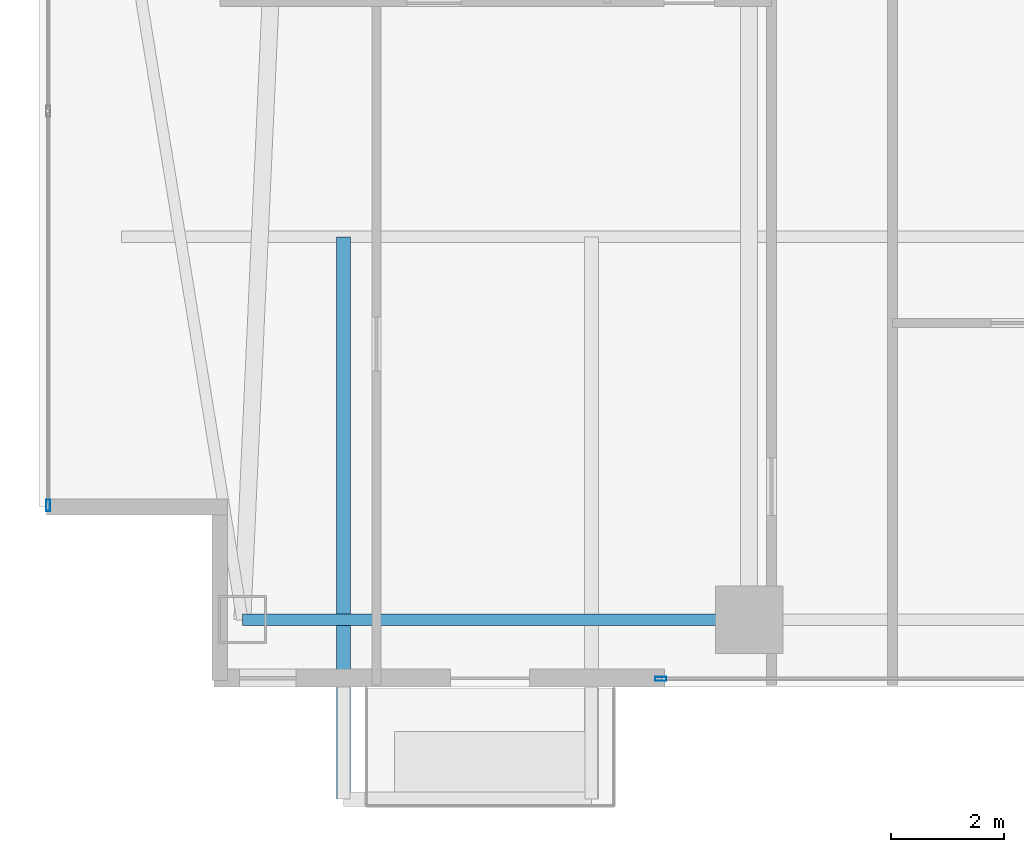
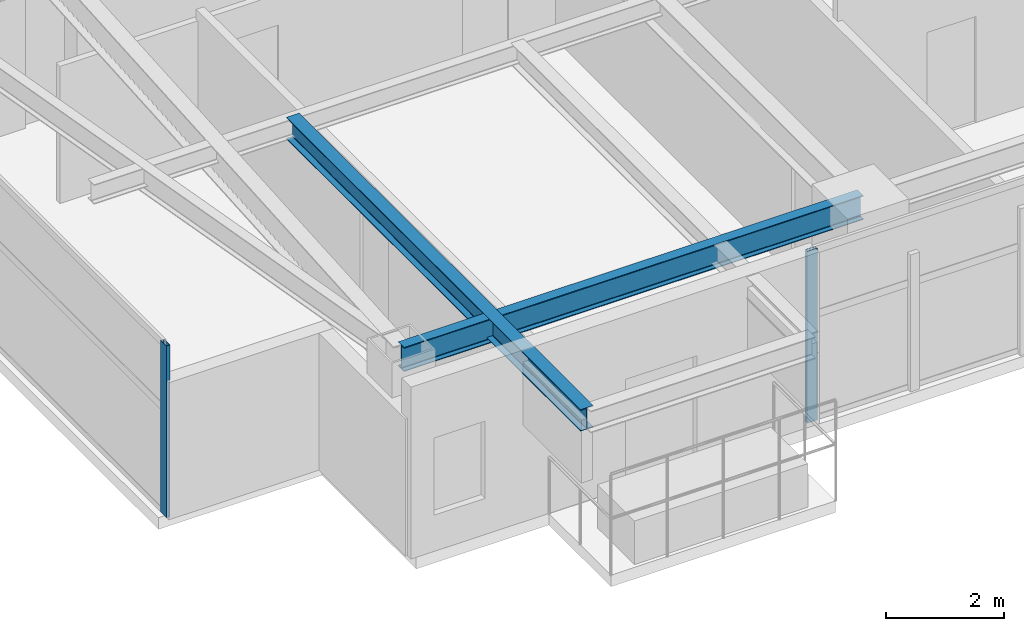
# One storey, part 2 of 28: 2 beams, 2 members, 2 elements without a shape of their own.
"""IFC4 building model written with IfcOpenShell, lengths in metres."""

from ifc_helpers import new_model, si_unit, direction, frame, origin, origin_2d, place, context, subcontext, project, spatial, hollow_rectangle, i_section, extrude, material, layer, layer_set, material_profile, profile_set, type_object, element, aggregate, save


model = new_model("IFC4")

# Units and contexts
model_context = context("Model", 3, precision=1e-05, world=origin(), true_north=direction((0.0, 1.0)))
body_context = subcontext(model_context, "Body", "Model", "MODEL_VIEW")
ifc_project = project(units=[si_unit("LENGTHUNIT", "METRE"), si_unit("AREAUNIT", "SQUARE_METRE"), si_unit("VOLUMEUNIT", "CUBIC_METRE"), si_unit("PLANEANGLEUNIT", "RADIAN"), si_unit("MASSUNIT", "GRAM", prefix="KILO")], contexts=[model_context])

# Site, building, storey
site_placement = place(None, origin())
site = spatial("IfcSite", under=ifc_project, at=site_placement, CompositionType="ELEMENT")
building_placement = place(site_placement, origin())
building = spatial("IfcBuilding", under=site, at=building_placement, Name="Calvorn Quay Hotel", CompositionType="ELEMENT")
storey_placement = place(building_placement, frame((0.0, 0.0, 131.60009765625)))
storey = spatial("IfcBuildingStorey", under=building, at=storey_placement, Name="L32", CompositionType="ELEMENT", Elevation=131.60009765625)

# Beams
ifc_material_1 = material(Name="Steel Q355B", Category="steel")
ifc_material_profile_1 = material_profile(ifc_material_1, i_section(OverallWidth=0.25, OverallDepth=0.449951171875, WebThickness=0.011962890625, FlangeThickness=0.01611328125, FilletRadius=0.01611328125, at=origin_2d()), Name="HN450x250x12x16")
ifc_profile_set_1 = profile_set([ifc_material_profile_1], Name="Steel Q355B")
beam_type_1 = type_object("IfcBeamType", Name="BM-CANT-BALC", PredefinedType="BEAM", material=ifc_profile_set_1)
beam_1_placement = place(storey_placement, frame((5.39990234375, 10.39990234375, 3.31494140625), z_axis=(0.0, -1.0, 0.0), x_axis=(1.0, 0.0, 0.0)))
element("IfcBeam", 1, at=beam_1_placement, inside=storey, type_object=beam_type_1, Name="Cantilever Balcony Beam BCB-L33-2A", PredefinedType="BEAM", context=body_context, shape_type="SweptSolid", body=[
    extrude(i_section(OverallWidth=0.25, OverallDepth=0.449951171875, WebThickness=0.011962890625, FlangeThickness=0.01611328125, FilletRadius=0.01611328125, at=origin_2d()), origin(), (0.0, 0.0, 1.0), 9.989990234375),
])
ifc_material_2 = material(Name="Steel Q355B", Category="steel")
ifc_material_profile_2 = material_profile(ifc_material_2, i_section(OverallWidth=0.199951171875, OverallDepth=0.5, WebThickness=0.010009765625, FlangeThickness=0.01611328125, FilletRadius=0.01611328125, at=origin_2d()), Name="HN500x200x10x16")
ifc_profile_set_2 = profile_set([ifc_material_profile_2], Name="Steel Q355B")
beam_type_2 = type_object("IfcBeamType", Name="BM-SPANDREL-Z1", PredefinedType="SPANDREL", material=ifc_profile_set_2)
beam_2_placement = place(storey_placement, frame((3.60009765625, 3.60009765625, 3.289794921875), z_axis=(1.0, 0.0, 0.0), x_axis=(0.0, 1.0, 0.0)))
element("IfcBeam", 2, at=beam_2_placement, inside=storey, type_object=beam_type_2, Name="Beam BSP-L32-S1", PredefinedType="SPANDREL", context=body_context, shape_type="SweptSolid", body=[
    extrude(i_section(OverallWidth=0.199951171875, OverallDepth=0.5, WebThickness=0.010009765625, FlangeThickness=0.01611328125, FilletRadius=0.01611328125, at=origin_2d()), origin(), (0.0, 0.0, 1.0), 9.0),
])

# Curtain wall, member
ifc_material_3 = material(Name="Pale Anodised Aluminium and Low-E Glass", Category="aluminium")
ifc_layer = layer(ifc_material_3, 0.219970703125)
ifc_layer_set = layer_set([ifc_layer], Name="CW-SYS-Z2")
curtain_wall_type = type_object("IfcCurtainWallType", Name="CW-SYS-Z2", PredefinedType="NOTDEFINED", material=ifc_layer_set)
curtain_wall_1_placement = place(storey_placement, origin())
curtain_wall_1 = element("IfcCurtainWall", 3, at=curtain_wall_1_placement, inside=storey, type_object=curtain_wall_type, Name="Tower West Curtain Wall (L32)", PredefinedType="NOTDEFINED")
ifc_material_4 = material(Name="Pale Anodised Aluminium 6063-T6", Category="aluminium")
ifc_material_profile_3 = material_profile(ifc_material_4, hollow_rectangle(XDim=0.070068359375, YDim=0.199951171875, WallThickness=0.00390625, at=origin_2d()), Name="ALU-M200x70x4")
ifc_profile_set_3 = profile_set([ifc_material_profile_3], Name="Pale Anodised Aluminium 6063-T6")
member_type = type_object("IfcMemberType", Name="CW-SYS-Z2-MUL", PredefinedType="MULLION", material=ifc_profile_set_3)
member_1_placement = place(storey_placement, frame((0.14990234375, 5.6298828125, 0.0), z_axis=(0.0, 0.0, 1.0), x_axis=(-1.0, 0.0, 0.0)))
member_1 = element("IfcMember", 4, at=member_1_placement, type_object=member_type, Name="CW-L32-W mullion 1", PredefinedType="MULLION", context=body_context, shape_type="SweptSolid", body=[
    extrude(hollow_rectangle(XDim=0.070068359375, YDim=0.199951171875, WallThickness=0.00390625, at=origin_2d()), origin(), (0.0, 0.0, 1.0), 3.559814453125),
])
aggregate(curtain_wall_1, [member_1])

curtain_wall_2_placement = place(storey_placement, origin())
curtain_wall_2 = element("IfcCurtainWall", 5, at=curtain_wall_2_placement, inside=storey, type_object=curtain_wall_type, Name="Tower South Waterfront Curtain Wall (L32)", PredefinedType="NOTDEFINED")
member_2_placement = place(storey_placement, frame((11.030029296875, 2.550048828125, 0.0), z_axis=(0.0, 0.0, 1.0), x_axis=(0.0, 1.0, 0.0)))
member_2 = element("IfcMember", 6, at=member_2_placement, type_object=member_type, Name="CW-L32-S mullion 1", PredefinedType="MULLION", context=body_context, shape_type="SweptSolid", body=[
    extrude(hollow_rectangle(XDim=0.070068359375, YDim=0.199951171875, WallThickness=0.00390625, at=origin_2d()), origin(), (0.0, 0.0, 1.0), 3.559814453125),
])
aggregate(curtain_wall_2, [member_2])

save(model, "model.ifc")
